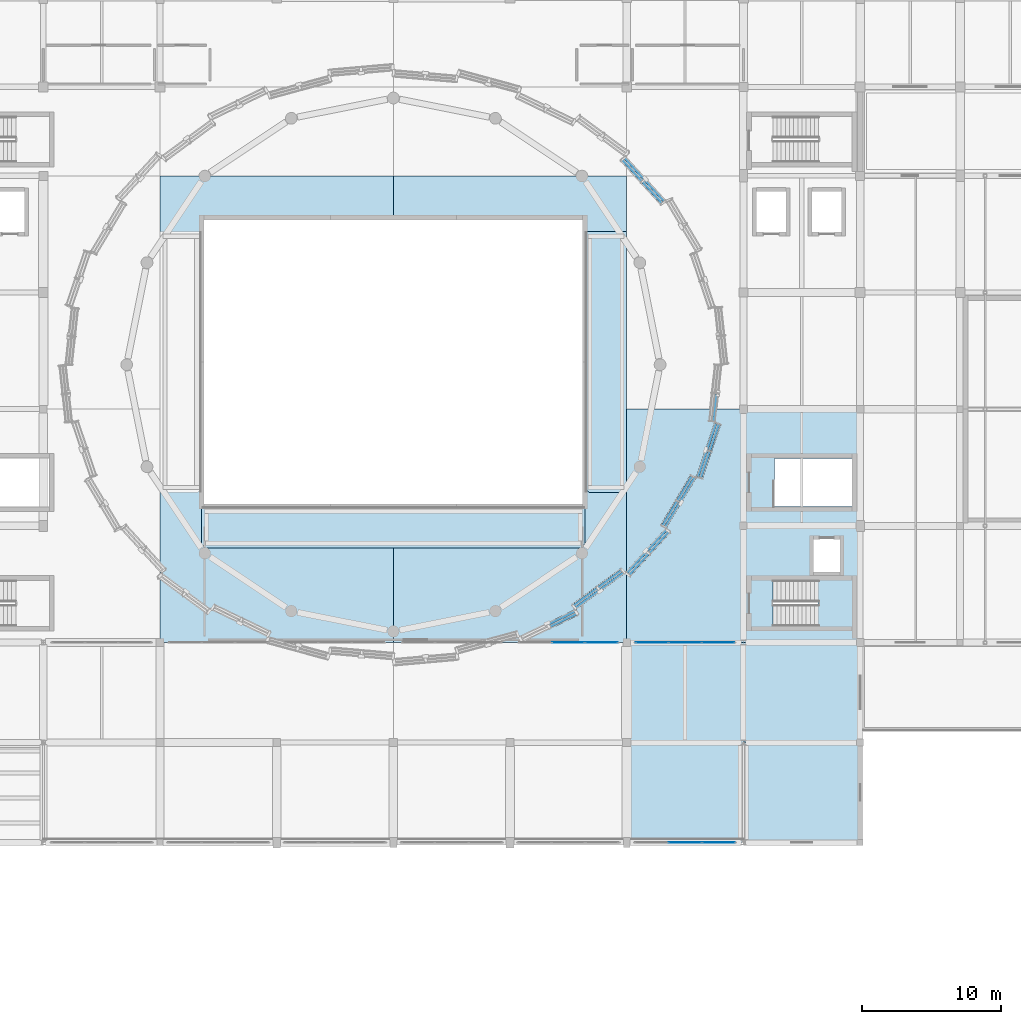
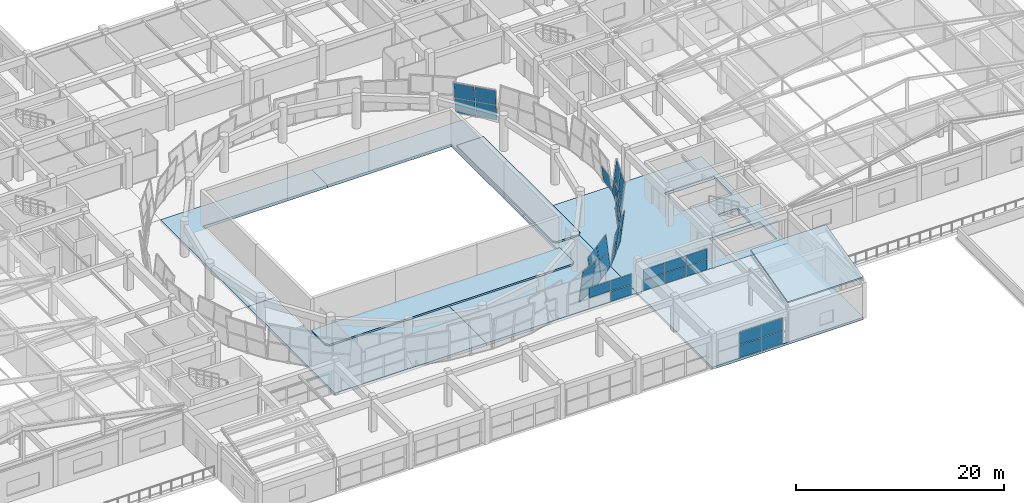
# One storey, part 50 of 74: 36 plates, 10 slabs, 11 elements without a shape of their own.
"""IFC4 building model written with IfcOpenShell, lengths in metres."""

from ifc_helpers import new_model, si_unit, direction, frame, origin, origin_2d, place, context, subcontext, project, spatial, polyline, rectangle, outline, extrude, material, layer, layer_set, type_object, element, aggregate, save


model = new_model("IFC4")

# Units and contexts
model_context = context("Model", 3, precision=1e-05, world=origin(), true_north=direction((0.0, 1.0)))
body_context = subcontext(model_context, "Body", "Model", "MODEL_VIEW")
ifc_project = project(units=[si_unit("LENGTHUNIT", "METRE"), si_unit("AREAUNIT", "SQUARE_METRE"), si_unit("VOLUMEUNIT", "CUBIC_METRE"), si_unit("PLANEANGLEUNIT", "RADIAN"), si_unit("MASSUNIT", "GRAM", prefix="KILO")], contexts=[model_context])

# Site, building, storey
site_placement = place(None, origin())
site = spatial("IfcSite", under=ifc_project, at=site_placement, CompositionType="ELEMENT")
building_placement = place(site_placement, origin())
building = spatial("IfcBuilding", under=site, at=building_placement, Name="Korsvaeld Concert Hall", CompositionType="ELEMENT")
storey_placement = place(building_placement, frame((0.0, 0.0, 9.0)))
storey = spatial("IfcBuildingStorey", under=building, at=storey_placement, Name="L02", CompositionType="ELEMENT", Elevation=9.0)

# Curtain wall, plates
ifc_material_1 = material(Name="Anodised bronze and ceramic-fritted safety glass", Category="glass")
curtain_wall_type_1 = type_object("IfcCurtainWallType", Name="CW-TYPE-13", PredefinedType="USERDEFINED", material=ifc_material_1)
curtain_wall_1_placement = place(storey_placement, origin())
curtain_wall_1 = element("IfcCurtainWall", 1, at=curtain_wall_1_placement, inside=storey, type_object=curtain_wall_type_1, Name="Wintergarden foyer curtain wall L02-13", ObjectType="CURTAIN WALL", PredefinedType="USERDEFINED")
ifc_material_2 = material(Name="Clear acoustic triple safety glazing", Category="glass")
ifc_layer_1 = layer(ifc_material_2, 0.0439453125)
ifc_layer_set_1 = layer_set([ifc_layer_1], Name="Clear acoustic triple safety glazing")
plate_type_1 = type_object("IfcPlateType", Name="CWP-CLEAR-44", PredefinedType="CURTAIN_PANEL", material=ifc_layer_set_1)
plate_1_placement = place(storey_placement, frame((107.418212890625, 28.800048828125, 0.06005859375), z_axis=(0.0, 0.0, 1.0), x_axis=(-1.0, 0.0, 0.0)))
plate_1 = element("IfcPlate", 2, at=plate_1_placement, type_object=plate_type_1, Name="CW-13 panel 1.1", PredefinedType="CURTAIN_PANEL", context=body_context, shape_type="SweptSolid", body=[
    extrude(rectangle(XDim=2.34326171875, YDim=0.0439453125, at=origin_2d()), origin(), (0.0, 0.0, 1.0), 1.5048828125),
])
plate_2_placement = place(storey_placement, frame((107.418212890625, 28.800048828125, 1.625), z_axis=(0.0, 0.0, 1.0), x_axis=(-1.0, 0.0, 0.0)))
plate_2 = element("IfcPlate", 3, at=plate_2_placement, type_object=plate_type_1, Name="CW-13 panel 1.2", PredefinedType="CURTAIN_PANEL", context=body_context, shape_type="SweptSolid", body=[
    extrude(rectangle(XDim=2.34326171875, YDim=0.0439453125, at=origin_2d()), origin(), (0.0, 0.0, 1.0), 1.5048828125),
])
plate_3_placement = place(storey_placement, frame((105.0, 28.800048828125, 0.06005859375), z_axis=(0.0, 0.0, 1.0), x_axis=(-1.0, 0.0, 0.0)))
plate_3 = element("IfcPlate", 4, at=plate_3_placement, type_object=plate_type_1, Name="CW-13 panel 2.1", PredefinedType="CURTAIN_PANEL", context=body_context, shape_type="SweptSolid", body=[
    extrude(rectangle(XDim=2.373291015625, YDim=0.0439453125, at=origin_2d()), origin(), (0.0, 0.0, 1.0), 1.5048828125),
])
plate_4_placement = place(storey_placement, frame((105.0, 28.800048828125, 1.625), z_axis=(0.0, 0.0, 1.0), x_axis=(-1.0, 0.0, 0.0)))
plate_4 = element("IfcPlate", 5, at=plate_4_placement, type_object=plate_type_1, Name="CW-13 panel 2.2", PredefinedType="CURTAIN_PANEL", context=body_context, shape_type="SweptSolid", body=[
    extrude(rectangle(XDim=2.373291015625, YDim=0.0439453125, at=origin_2d()), origin(), (0.0, 0.0, 1.0), 1.5048828125),
])
aggregate(curtain_wall_1, [plate_1, plate_2, plate_3, plate_4])

curtain_wall_type_2 = type_object("IfcCurtainWallType", Name="CW-TYPE-11", PredefinedType="USERDEFINED", material=ifc_material_1)
curtain_wall_2_placement = place(storey_placement, origin())
curtain_wall_2 = element("IfcCurtainWall", 6, at=curtain_wall_2_placement, inside=storey, type_object=curtain_wall_type_2, Name="Glazed foyer acoustic screen L02-35", ObjectType="CURTAIN WALL", PredefinedType="USERDEFINED")
plate_5_placement = place(storey_placement, frame((96.60009765625, 43.199951171875, 1.304931640625), z_axis=(0.0, 0.0, 1.0), x_axis=(1.0, 0.0, 0.0)))
plate_5 = element("IfcPlate", 7, at=plate_5_placement, type_object=plate_type_1, Name="CW-11 panel 2.2", PredefinedType="CURTAIN_PANEL", context=body_context, shape_type="SweptSolid", body=[
    extrude(rectangle(XDim=2.340087890625, YDim=0.0439453125, at=origin_2d()), origin(), (0.0, 0.0, 1.0), 1.18505859375),
])
plate_6_placement = place(storey_placement, frame((98.985107421875, 43.199951171875, 0.06005859375), z_axis=(0.0, 0.0, 1.0), x_axis=(1.0, 0.0, 0.0)))
plate_6 = element("IfcPlate", 8, at=plate_6_placement, type_object=plate_type_1, Name="CW-11 panel 3.1", PredefinedType="CURTAIN_PANEL", context=body_context, shape_type="SweptSolid", body=[
    extrude(rectangle(XDim=2.31005859375, YDim=0.0439453125, at=origin_2d()), origin(), (0.0, 0.0, 1.0), 1.18505859375),
])
plate_7_placement = place(storey_placement, frame((98.985107421875, 43.199951171875, 1.304931640625), z_axis=(0.0, 0.0, 1.0), x_axis=(1.0, 0.0, 0.0)))
plate_7 = element("IfcPlate", 9, at=plate_7_placement, type_object=plate_type_1, Name="CW-11 panel 3.2", PredefinedType="CURTAIN_PANEL", context=body_context, shape_type="SweptSolid", body=[
    extrude(rectangle(XDim=2.31005859375, YDim=0.0439453125, at=origin_2d()), origin(), (0.0, 0.0, 1.0), 1.18505859375),
])
aggregate(curtain_wall_2, [plate_5, plate_6, plate_7])

curtain_wall_type_3 = type_object("IfcCurtainWallType", Name="CW-TYPE-12", PredefinedType="USERDEFINED", material=ifc_material_1)
curtain_wall_3_placement = place(storey_placement, origin())
curtain_wall_3 = element("IfcCurtainWall", 10, at=curtain_wall_3_placement, inside=storey, type_object=curtain_wall_type_3, Name="Glazed foyer acoustic screen L02-36", ObjectType="CURTAIN WALL", PredefinedType="USERDEFINED")
plate_8_placement = place(storey_placement, frame((102.614990234375, 43.199951171875, 0.06005859375), z_axis=(0.0, 0.0, 1.0), x_axis=(1.0, 0.0, 0.0)))
plate_8 = element("IfcPlate", 11, at=plate_8_placement, type_object=plate_type_1, Name="CW-12 panel 1.1", PredefinedType="CURTAIN_PANEL", context=body_context, shape_type="SweptSolid", body=[
    extrude(rectangle(XDim=2.31005859375, YDim=0.0439453125, at=origin_2d()), origin(), (0.0, 0.0, 1.0), 1.18505859375),
])
plate_9_placement = place(storey_placement, frame((102.614990234375, 43.199951171875, 1.304931640625), z_axis=(0.0, 0.0, 1.0), x_axis=(1.0, 0.0, 0.0)))
plate_9 = element("IfcPlate", 12, at=plate_9_placement, type_object=plate_type_1, Name="CW-12 panel 1.2", PredefinedType="CURTAIN_PANEL", context=body_context, shape_type="SweptSolid", body=[
    extrude(rectangle(XDim=2.31005859375, YDim=0.0439453125, at=origin_2d()), origin(), (0.0, 0.0, 1.0), 1.18505859375),
])
plate_10_placement = place(storey_placement, frame((105.0, 43.199951171875, 0.06005859375), z_axis=(0.0, 0.0, 1.0), x_axis=(1.0, 0.0, 0.0)))
plate_10 = element("IfcPlate", 13, at=plate_10_placement, type_object=plate_type_1, Name="CW-12 panel 2.1", PredefinedType="CURTAIN_PANEL", context=body_context, shape_type="SweptSolid", body=[
    extrude(rectangle(XDim=2.340087890625, YDim=0.0439453125, at=origin_2d()), origin(), (0.0, 0.0, 1.0), 1.18505859375),
])
plate_11_placement = place(storey_placement, frame((105.0, 43.199951171875, 1.304931640625), z_axis=(0.0, 0.0, 1.0), x_axis=(1.0, 0.0, 0.0)))
plate_11 = element("IfcPlate", 14, at=plate_11_placement, type_object=plate_type_1, Name="CW-12 panel 2.2", PredefinedType="CURTAIN_PANEL", context=body_context, shape_type="SweptSolid", body=[
    extrude(rectangle(XDim=2.340087890625, YDim=0.0439453125, at=origin_2d()), origin(), (0.0, 0.0, 1.0), 1.18505859375),
])
plate_12_placement = place(storey_placement, frame((107.385009765625, 43.199951171875, 0.06005859375), z_axis=(0.0, 0.0, 1.0), x_axis=(1.0, 0.0, 0.0)))
plate_12 = element("IfcPlate", 15, at=plate_12_placement, type_object=plate_type_1, Name="CW-12 panel 3.1", PredefinedType="CURTAIN_PANEL", context=body_context, shape_type="SweptSolid", body=[
    extrude(rectangle(XDim=2.31005859375, YDim=0.0439453125, at=origin_2d()), origin(), (0.0, 0.0, 1.0), 1.18505859375),
])
plate_13_placement = place(storey_placement, frame((107.385009765625, 43.199951171875, 1.304931640625), z_axis=(0.0, 0.0, 1.0), x_axis=(1.0, 0.0, 0.0)))
plate_13 = element("IfcPlate", 16, at=plate_13_placement, type_object=plate_type_1, Name="CW-12 panel 3.2", PredefinedType="CURTAIN_PANEL", context=body_context, shape_type="SweptSolid", body=[
    extrude(rectangle(XDim=2.31005859375, YDim=0.0439453125, at=origin_2d()), origin(), (0.0, 0.0, 1.0), 1.18505859375),
])
aggregate(curtain_wall_3, [plate_8, plate_9, plate_10, plate_11, plate_12, plate_13])

curtain_wall_type_4 = type_object("IfcCurtainWallType", Name="CW-TYPE-04", PredefinedType="USERDEFINED", material=ifc_material_1)
curtain_wall_4_placement = place(storey_placement, origin())
curtain_wall_4 = element("IfcCurtainWall", 17, at=curtain_wall_4_placement, inside=storey, type_object=curtain_wall_type_4, Name="Crystal curtain-wall facet L02 F04", ObjectType="CURTAIN WALL", PredefinedType="USERDEFINED")
ifc_material_3 = material(Name="Translucent ceramic-fritted crystal safety glass", Category="glass")
ifc_layer_2 = layer(ifc_material_3, 0.035888671875)
ifc_layer_set_2 = layer_set([ifc_layer_2], Name="Translucent ceramic-fritted crystal safety glass")
plate_type_2 = type_object("IfcPlateType", Name="CWP-CRYSTAL-36", PredefinedType="CURTAIN_PANEL", material=ifc_layer_set_2)
plate_14_placement = place(storey_placement, frame((103.566650390625, 75.029296875, 0.06005859375), z_axis=(0.733607855035, 0.670176259909, 0.112620138901), x_axis=(-0.674466768396, 0.738305206747, -4.465212e-06)))
plate_14 = element("IfcPlate", 18, at=plate_14_placement, type_object=plate_type_2, Name="CW-CRYS-L02-F04 ceramic-fritted crystal panel 1.1", PredefinedType="CURTAIN_PANEL", context=body_context, shape_type="SweptSolid", body=[
    extrude(outline(polyline([(0.0, 0.0), (2.063350847157613, 1.3877787807814457e-17), (2.085316179204461, 1.8617067908425107), (0.022145582341464166, 1.8616882470765375), (0.0, 0.0)])), frame((0.0, 0.0, 0.01806640625)), (0.0, 0.0, -1.0), 0.035888671875),
])
plate_15_placement = place(storey_placement, frame((103.391357421875, 74.900390625, 1.969970703125), z_axis=(0.733578723806, 0.670203354014, 0.112648658439), x_axis=(-0.674496604142, 0.738277949692, 0.0)))
plate_15 = element("IfcPlate", 19, at=plate_15_placement, type_object=plate_type_2, Name="CW-CRYS-L02-F04 ceramic-fritted crystal panel 1.2", PredefinedType="CURTAIN_PANEL", context=body_context, shape_type="SweptSolid", body=[
    extrude(outline(polyline([(0.0, 0.0), (2.0631705985682665, 1.3877787807814457e-17), (2.085152666851206, 1.8619491815404832), (0.02198206828293976, 1.8619491815404832), (0.0, 0.0)])), frame((0.0, 0.0, 0.01806640625)), (0.0, 0.0, -1.0), 0.035888671875),
])
plate_16_placement = place(storey_placement, frame((102.12451171875, 76.60791015625, 0.06005859375), z_axis=(0.733582622808, 0.670211994762, 0.112571833028), x_axis=(-0.674499425249, 0.738275372296, 4.22007e-07)))
plate_16 = element("IfcPlate", 20, at=plate_16_placement, type_object=plate_type_2, Name="CW-CRYS-L02-F04 ceramic-fritted crystal panel 2.1", PredefinedType="CURTAIN_PANEL", context=body_context, shape_type="SweptSolid", body=[
    extrude(outline(polyline([(0.0, 0.0), (2.0635155142750765, 2.7755575615628914e-17), (2.085334491981297, 1.8616862783170858), (0.022163893428276616, 1.8616880309496175), (0.0, 0.0)])), frame((0.0, 0.0, 0.01806640625)), (0.0, 0.0, -1.0), 0.035888671875),
])
plate_17_placement = place(storey_placement, frame((101.94921875, 76.47900390625, 1.969970703125), z_axis=(0.733578723806, 0.670203354014, 0.112648658439), x_axis=(-0.674496604142, 0.738277949692, 0.0)))
plate_17 = element("IfcPlate", 21, at=plate_17_placement, type_object=plate_type_2, Name="CW-CRYS-L02-F04 ceramic-fritted crystal panel 2.2", PredefinedType="CURTAIN_PANEL", context=body_context, shape_type="SweptSolid", body=[
    extrude(outline(polyline([(0.0, 0.0), (2.0631705985682665, 1.3877787807814457e-17), (2.085152666851206, 1.8619491815404832), (0.02198206828293976, 1.8619491815404832), (0.0, 0.0)])), frame((0.0, 0.0, 0.01806640625)), (0.0, 0.0, -1.0), 0.035888671875),
])
aggregate(curtain_wall_4, [plate_14, plate_15, plate_16, plate_17])

curtain_wall_type_5 = type_object("IfcCurtainWallType", Name="CW-TYPE-03", PredefinedType="USERDEFINED", material=ifc_material_1)
curtain_wall_5_placement = place(storey_placement, origin())
curtain_wall_5 = element("IfcCurtainWall", 22, at=curtain_wall_5_placement, inside=storey, type_object=curtain_wall_type_5, Name="Crystal curtain-wall facet L02 F27", ObjectType="CURTAIN WALL", PredefinedType="USERDEFINED")
plate_18_placement = place(storey_placement, frame((95.108642578125, 44.603759765625, 0.06005859375), z_axis=(0.429998436231, -0.895754874635, -0.112803144489), x_axis=(0.901508884705, 0.432760592935, 0.0)))
plate_18 = element("IfcPlate", 23, at=plate_18_placement, type_object=plate_type_2, Name="CW-CRYS-L02-F27 ceramic-fritted crystal panel 2.1", PredefinedType="CURTAIN_PANEL", context=body_context, shape_type="SweptSolid", body=[
    extrude(outline(polyline([(0.0, 0.0), (2.1505286703400395, 0.0), (2.169415039256542, 1.8617363153269957), (0.01888636891650229, 1.8617363153269957), (0.0, 0.0)])), frame((0.0, 0.0, 0.01806640625)), (0.0, 0.0, -1.0), 0.035888671875),
])
plate_19_placement = place(storey_placement, frame((95.219970703125, 44.416748046875, 1.969970703125), z_axis=(0.430022527134, -0.89574865601, -0.112760682039), x_axis=(0.901498388408, 0.432782457697, 2.752414e-06)))
plate_19 = element("IfcPlate", 24, at=plate_19_placement, type_object=plate_type_2, Name="CW-CRYS-L02-F27 ceramic-fritted crystal panel 2.2", PredefinedType="CURTAIN_PANEL", context=body_context, shape_type="SweptSolid", body=[
    extrude(outline(polyline([(0.0, 0.0), (2.15052866969938, 0.0), (2.169194944960207, 1.8619669834991164), (0.018886367640809625, 1.8619788971660192), (0.0, 0.0)])), frame((0.0, 0.0, 0.01806640625)), (0.0, 0.0, -1.0), 0.035888671875),
])
aggregate(curtain_wall_5, [plate_18, plate_19])

curtain_wall_6_placement = place(storey_placement, origin())
curtain_wall_6 = element("IfcCurtainWall", 25, at=curtain_wall_6_placement, inside=storey, type_object=curtain_wall_type_4, Name="Crystal curtain-wall facet L02 F28", ObjectType="CURTAIN WALL", PredefinedType="USERDEFINED")
plate_20_placement = place(storey_placement, frame((97.167236328125, 45.622314453125, 0.06005859375), z_axis=(0.58962828208, -0.799782568338, 0.112633620004), x_axis=(0.804904507896, 0.593404358906, 0.0)))
plate_20 = element("IfcPlate", 26, at=plate_20_placement, type_object=plate_type_2, Name="CW-CRYS-L02-F28 ceramic-fritted crystal panel 1.1", PredefinedType="CURTAIN_PANEL", context=body_context, shape_type="SweptSolid", body=[
    extrude(outline(polyline([(0.0, 0.0), (2.1089579558479716, -1.3877787807814457e-17), (2.087018882944334, 1.8617002828262006), (-0.0219390729036376, 1.8617002828262006), (0.0, 0.0)])), frame((0.0, 0.0, 0.01806640625)), (0.0, 0.0, -1.0), 0.035888671875),
])
plate_21_placement = place(storey_placement, frame((97.0205078125, 45.782958984375, 1.969970703125), z_axis=(0.589629269114, -0.799783907169, 0.112618945289), x_axis=(0.804904507896, 0.593404358906, 0.0)))
plate_21 = element("IfcPlate", 27, at=plate_21_placement, type_object=plate_type_2, Name="CW-CRYS-L02-F28 ceramic-fritted crystal panel 1.2", PredefinedType="CURTAIN_PANEL", context=body_context, shape_type="SweptSolid", body=[
    extrude(outline(polyline([(0.0, 0.0), (2.1089579558479716, -1.3877787807814457e-17), (2.087018882944334, 1.8619428700867071), (-0.0219390729036376, 1.8619428700867073), (0.0, 0.0)])), frame((0.0, 0.0, 0.01806640625)), (0.0, 0.0, -1.0), 0.035888671875),
])
plate_22_placement = place(storey_placement, frame((98.925048828125, 46.91845703125, 0.06005859375), z_axis=(0.589605264342, -0.799808857901, 0.112567415727), x_axis=(0.804925146534, 0.593376363248, -3.841278e-06)))
plate_22 = element("IfcPlate", 28, at=plate_22_placement, type_object=plate_type_2, Name="CW-CRYS-L02-F28 ceramic-fritted crystal panel 2.1", PredefinedType="CURTAIN_PANEL", context=body_context, shape_type="SweptSolid", body=[
    extrude(outline(polyline([(0.0, 0.0), (2.1091544694851514, 0.0), (2.0868596153830126, 1.8616942938582879), (-0.022098339173785665, 1.861677987273455), (0.0, 0.0)])), frame((0.0, 0.0, 0.01806640625)), (0.0, 0.0, -1.0), 0.035888671875),
])
plate_23_placement = place(storey_placement, frame((98.7783203125, 47.0791015625, 1.969970703125), z_axis=(0.589636274188, -0.79979340898, 0.112514741765), x_axis=(0.804904507896, 0.593404358906, 0.0)))
plate_23 = element("IfcPlate", 29, at=plate_23_placement, type_object=plate_type_2, Name="CW-CRYS-L02-F28 ceramic-fritted crystal panel 2.2", PredefinedType="CURTAIN_PANEL", context=body_context, shape_type="SweptSolid", body=[
    extrude(outline(polyline([(0.0, 0.0), (2.1089579558479716, -1.3877787807814457e-17), (2.0868740088332727, 1.86192074958865), (-0.022083947014698666, 1.86192074958865), (0.0, 0.0)])), frame((0.0, 0.0, 0.01806640625)), (0.0, 0.0, -1.0), 0.035888671875),
])
aggregate(curtain_wall_6, [plate_20, plate_21, plate_22, plate_23])

curtain_wall_type_6 = type_object("IfcCurtainWallType", Name="CW-TYPE-05", PredefinedType="USERDEFINED", material=ifc_material_1)
curtain_wall_7_placement = place(storey_placement, origin())
curtain_wall_7 = element("IfcCurtainWall", 30, at=curtain_wall_7_placement, inside=storey, type_object=curtain_wall_type_6, Name="Crystal curtain-wall facet L02 F29", ObjectType="CURTAIN WALL", PredefinedType="USERDEFINED")
plate_24_placement = place(storey_placement, frame((100.743896484375, 48.260498046875, 0.06005859375), z_axis=(0.733582622808, -0.670211994762, -0.112571833028), x_axis=(0.674498607956, 0.738276118927, -9.34911e-06)))
plate_24 = element("IfcPlate", 31, at=plate_24_placement, type_object=plate_type_2, Name="CW-CRYS-L02-F29 ceramic-fritted crystal panel 1.1", PredefinedType="CURTAIN_PANEL", context=body_context, shape_type="SweptSolid", body=[
    extrude(outline(polyline([(0.0, 0.0), (2.0633508416635977, 0.0), (2.0853161847569632, 1.8617067846230986), (0.02198091377475512, 1.8616679569746117), (0.0, 0.0)])), frame((0.0, 0.0, 0.01806640625)), (0.0, 0.0, -1.0), 0.035888671875),
])
plate_25_placement = place(storey_placement, frame((100.9189453125, 48.131591796875, 1.969970703125), z_axis=(0.733578723806, -0.670203354014, -0.112648658439), x_axis=(0.674496604142, 0.738277949692, 0.0)))
plate_25 = element("IfcPlate", 32, at=plate_25_placement, type_object=plate_type_2, Name="CW-CRYS-L02-F29 ceramic-fritted crystal panel 1.2", PredefinedType="CURTAIN_PANEL", context=body_context, shape_type="SweptSolid", body=[
    extrude(outline(polyline([(0.0, 0.0), (2.0631705985682665, 1.3877787807814457e-17), (2.085152666851206, 1.8619491815404832), (0.02198206828293976, 1.8619491815404832), (0.0, 0.0)])), frame((0.0, 0.0, 0.01806640625)), (0.0, 0.0, -1.0), 0.035888671875),
])
plate_26_placement = place(storey_placement, frame((102.18603515625, 49.839111328125, 0.06005859375), z_axis=(0.733607855035, -0.670176259909, -0.112620138901), x_axis=(0.674466768396, 0.738305206747, -4.465212e-06)))
plate_26 = element("IfcPlate", 33, at=plate_26_placement, type_object=plate_type_2, Name="CW-CRYS-L02-F29 ceramic-fritted crystal panel 2.1", PredefinedType="CURTAIN_PANEL", context=body_context, shape_type="SweptSolid", body=[
    extrude(outline(polyline([(0.0, 0.0), (2.063350847157613, 1.3877787807814457e-17), (2.085316179204461, 1.8617067908425107), (0.022145582341464166, 1.8616882470765375), (0.0, 0.0)])), frame((0.0, 0.0, 0.01806640625)), (0.0, 0.0, -1.0), 0.035888671875),
])
plate_27_placement = place(storey_placement, frame((102.361083984375, 49.710205078125, 1.969970703125), z_axis=(0.733578723806, -0.670203354014, -0.112648658439), x_axis=(0.674496604142, 0.738277949692, 0.0)))
plate_27 = element("IfcPlate", 34, at=plate_27_placement, type_object=plate_type_2, Name="CW-CRYS-L02-F29 ceramic-fritted crystal panel 2.2", PredefinedType="CURTAIN_PANEL", context=body_context, shape_type="SweptSolid", body=[
    extrude(outline(polyline([(0.0, 0.0), (2.0631705985682665, 1.3877787807814457e-17), (2.085152666851206, 1.8619491815404832), (0.02198206828293976, 1.8619491815404832), (0.0, 0.0)])), frame((0.0, 0.0, 0.01806640625)), (0.0, 0.0, -1.0), 0.035888671875),
])
aggregate(curtain_wall_7, [plate_24, plate_25, plate_26, plate_27])

curtain_wall_type_7 = type_object("IfcCurtainWallType", Name="CW-TYPE-06", PredefinedType="USERDEFINED", material=ifc_material_1)
curtain_wall_8_placement = place(storey_placement, origin())
curtain_wall_8 = element("IfcCurtainWall", 35, at=curtain_wall_8_placement, inside=storey, type_object=curtain_wall_type_7, Name="Crystal curtain-wall facet L02 F30", ObjectType="CURTAIN WALL", PredefinedType="USERDEFINED")
plate_28_placement = place(storey_placement, frame((103.65478515625, 51.4892578125, 0.06005859375), z_axis=(0.853892161526, -0.508096158557, 0.112722979661), x_axis=(0.511354967766, 0.859369592742, 3.460872e-06)))
plate_28 = element("IfcPlate", 36, at=plate_28_placement, type_object=plate_type_2, Name="CW-CRYS-L02-F30 ceramic-fritted crystal panel 1.1", PredefinedType="CURTAIN_PANEL", context=body_context, shape_type="SweptSolid", body=[
    extrude(outline(polyline([(0.0, 0.0), (2.0201464947764305, 2.7755575615628914e-17), (2.0012834372079804, 1.8617122986416608), (-0.01865325053897172, 1.861726370541177), (0.0, 0.0)])), frame((0.0, 0.0, 0.01806640625)), (0.0, 0.0, -1.0), 0.035888671875),
])
plate_29_placement = place(storey_placement, frame((103.458740234375, 51.58349609375, 1.969970703125), z_axis=(0.853895606904, -0.508073891, 0.112797224229), x_axis=(0.511337798574, 0.859379808767, -5.820704e-06)))
plate_29 = element("IfcPlate", 37, at=plate_29_placement, type_object=plate_type_2, Name="CW-CRYS-L02-F30 ceramic-fritted crystal panel 1.2", PredefinedType="CURTAIN_PANEL", context=body_context, shape_type="SweptSolid", body=[
    extrude(outline(polyline([(0.0, 0.0), (2.019936686058763, 0.0), (2.001145620164597, 1.861992487678737), (-0.01866622756443597, 1.8619688224688642), (0.0, 0.0)])), frame((0.0, 0.0, 0.01806640625)), (0.0, 0.0, -1.0), 0.035888671875),
])
plate_30_placement = place(storey_placement, frame((104.72607421875, 53.289794921875, 0.06005859375), z_axis=(0.853892161526, -0.508096158557, 0.112722979661), x_axis=(0.511355642616, 0.859369191182, -3.461232e-06)))
plate_30 = element("IfcPlate", 38, at=plate_30_placement, type_object=plate_type_2, Name="CW-CRYS-L02-F30 ceramic-fritted crystal panel 2.1", PredefinedType="CURTAIN_PANEL", context=body_context, shape_type="SweptSolid", body=[
    extrude(outline(polyline([(0.0, 0.0), (2.019936687795968, -1.3877787807814457e-17), (2.0012704675309365, 1.8617262405480326), (-0.018876027196472505, 1.8617121671868948), (0.0, 0.0)])), frame((0.0, 0.0, 0.01806640625)), (0.0, 0.0, -1.0), 0.035888671875),
])
plate_31_placement = place(storey_placement, frame((104.530029296875, 53.3837890625, 1.969970703125), z_axis=(0.853914504774, -0.508049407558, 0.112764435958), x_axis=(0.511310904745, 0.859395810254, -2.35671e-06)))
plate_31 = element("IfcPlate", 39, at=plate_31_placement, type_object=plate_type_2, Name="CW-CRYS-L02-F30 ceramic-fritted crystal panel 2.2", PredefinedType="CURTAIN_PANEL", context=body_context, shape_type="SweptSolid", body=[
    extrude(outline(polyline([(0.0, 0.0), (2.0201464952873813, 2.7755575615628914e-17), (2.0011586005809385, 1.861978537093525), (-0.018653249512351377, 1.8619689549674794), (0.0, 0.0)])), frame((0.0, 0.0, 0.01806640625)), (0.0, 0.0, -1.0), 0.035888671875),
])
aggregate(curtain_wall_8, [plate_28, plate_29, plate_30, plate_31])

curtain_wall_type_8 = type_object("IfcCurtainWallType", Name="CW-TYPE-07", PredefinedType="USERDEFINED", material=ifc_material_1)
curtain_wall_9_placement = place(storey_placement, origin())
curtain_wall_9 = element("IfcCurtainWall", 40, at=curtain_wall_9_placement, inside=storey, type_object=curtain_wall_type_8, Name="Crystal curtain-wall facet L02 F31", ObjectType="CURTAIN WALL", PredefinedType="USERDEFINED")
plate_32_placement = place(storey_placement, frame((105.834228515625, 55.15625, 0.06005859375), z_axis=(0.941376989416, -0.317862797179, -0.113015954486), x_axis=(0.319912420616, 0.947447118912, 0.0)))
plate_32 = element("IfcPlate", 41, at=plate_32_placement, type_object=plate_type_2, Name="CW-CRYS-L02-F31 ceramic-fritted crystal panel 1.1", PredefinedType="CURTAIN_PANEL", context=body_context, shape_type="SweptSolid", body=[
    extrude(outline(polyline([(0.0, 0.0), (1.9864750660546802, -1.3877787807814457e-17), (1.999027934799808, 1.8617816278649926), (0.01255286874512773, 1.8617816278649928), (0.0, 0.0)])), frame((0.0, 0.0, 0.01806640625)), (0.0, 0.0, -1.0), 0.035888671875),
])
plate_33_placement = place(storey_placement, frame((106.044189453125, 55.09912109375, 1.969970703125), z_axis=(0.941366104364, -0.317900359323, -0.113000969451), x_axis=(0.319949676143, 0.947434538497, 0.0)))
plate_33 = element("IfcPlate", 42, at=plate_33_placement, type_object=plate_type_2, Name="CW-CRYS-L02-F31 ceramic-fritted crystal panel 1.2", PredefinedType="CURTAIN_PANEL", context=body_context, shape_type="SweptSolid", body=[
    extrude(outline(polyline([(0.0, 0.0), (1.9862437572585203, 0.0), (1.9988048998337165, 1.8620241487311948), (0.012561142575196048, 1.8620241487311948), (0.0, 0.0)])), frame((0.0, 0.0, 0.01806640625)), (0.0, 0.0, -1.0), 0.035888671875),
])
plate_34_placement = place(storey_placement, frame((106.49365234375, 57.109375, 0.06005859375), z_axis=(0.941364517816, -0.317899823544, -0.11301569266), x_axis=(0.319949676143, 0.947434538497, 0.0)))
plate_34 = element("IfcPlate", 43, at=plate_34_placement, type_object=plate_type_2, Name="CW-CRYS-L02-F31 ceramic-fritted crystal panel 2.1", PredefinedType="CURTAIN_PANEL", context=body_context, shape_type="SweptSolid", body=[
    extrude(outline(polyline([(0.0, 0.0), (1.9862437572585203, -1.3877787807814457e-17), (1.9988048998337165, 1.8617815720611695), (0.012561142575196048, 1.8617815720611695), (0.0, 0.0)])), frame((0.0, 0.0, 0.01806640625)), (0.0, 0.0, -1.0), 0.035888671875),
])
plate_35_placement = place(storey_placement, frame((106.70361328125, 57.052001953125, 1.969970703125), z_axis=(0.941378575992, -0.317863332898, -0.113001231244), x_axis=(0.319912420616, 0.947447118912, 0.0)))
plate_35 = element("IfcPlate", 44, at=plate_35_placement, type_object=plate_type_2, Name="CW-CRYS-L02-F31 ceramic-fritted crystal panel 2.2", PredefinedType="CURTAIN_PANEL", context=body_context, shape_type="SweptSolid", body=[
    extrude(outline(polyline([(0.0, 0.0), (1.9864750660546802, -1.3877787807814457e-17), (1.9990279347998081, 1.862024204527748), (0.012552868745127732, 1.862024204527748), (0.0, 0.0)])), frame((0.0, 0.0, 0.01806640625)), (0.0, 0.0, -1.0), 0.035888671875),
])
aggregate(curtain_wall_9, [plate_32, plate_33, plate_34, plate_35])

# Curtain wall, plate
curtain_wall_type_9 = type_object("IfcCurtainWallType", Name="CW-TYPE-08", PredefinedType="USERDEFINED", material=ifc_material_1)
curtain_wall_10_placement = place(storey_placement, origin())
curtain_wall_10 = element("IfcCurtainWall", 45, at=curtain_wall_10_placement, inside=storey, type_object=curtain_wall_type_9, Name="Crystal curtain-wall facet L02 F32", ObjectType="CURTAIN WALL", PredefinedType="USERDEFINED")
plate_36_placement = place(storey_placement, frame((107.14794921875, 59.13916015625, 0.06005859375), z_axis=(0.987662500457, -0.10822010176, 0.113186548519), x_axis=(0.108920048755, 0.994050513294, 0.0)))
plate_36 = element("IfcPlate", 46, at=plate_36_placement, type_object=plate_type_2, Name="CW-CRYS-L02-F32 ceramic-fritted crystal panel 1.1", PredefinedType="CURTAIN_PANEL", context=body_context, shape_type="SweptSolid", body=[
    extrude(outline(polyline([(0.0, 0.0), (1.9680074623604151, -3.469446951953614e-18), (1.9635828034447003, 1.8618180156416344), (-0.004424658915714849, 1.8618180156416344), (0.0, 0.0)])), frame((0.0, 0.0, 0.01806640625)), (0.0, 0.0, -1.0), 0.035888671875),
])
aggregate(curtain_wall_10, [plate_36])

# Slabs
ifc_material_4 = material(Name="Concrete C35/45", Category="concrete")
ifc_layer_3 = layer(ifc_material_4, 0.280029296875)
ifc_layer_set_3 = layer_set([ifc_layer_3], Name="Concrete C35/45")
slab_type_1 = type_object("IfcSlabType", Name="SLB-FOY-280", PredefinedType="FLOOR", material=ifc_layer_set_3)
slab_1_placement = place(storey_placement, frame((0.0, 0.0, -0.280029296875)))
element("IfcSlab", 47, at=slab_1_placement, inside=storey, type_object=slab_type_1, Name="Structural slab L02 V4_BELV_L02 4.1", PredefinedType="FLOOR", context=body_context, shape_type="SweptSolid", body=[
    extrude(outline(polyline([(100.800048828125, 28.800048828125), (100.800048828125, 43.199951171875), (117.60009765625, 43.199951171875), (117.60009765625, 28.800048828125), (100.800048828125, 28.800048828125)])), origin(), (0.0, 0.0, 1.0), 0.280029296875),
])
ifc_layer_4 = layer(ifc_material_4, 0.320068359375)
ifc_layer_set_4 = layer_set([ifc_layer_4], Name="Concrete C35/45")
slab_type_2 = type_object("IfcSlabType", Name="SLB-HALL-320", PredefinedType="FLOOR", material=ifc_layer_set_4)
slab_2_placement = place(storey_placement, frame((0.0, 0.0, -0.320068359375)))
element("IfcSlab", 48, at=slab_2_placement, inside=storey, type_object=slab_type_2, Name="Structural slab L02 V1_L02 2.1", PredefinedType="FLOOR", context=body_context, shape_type="SweptSolid", body=[
    extrude(outline(polyline([(84.0, 43.199951171875), (67.199951171875, 43.199951171875), (67.199951171875, 60.0), (70.199951171875, 60.0), (70.199951171875, 53.0), (84.0, 53.0), (84.0, 43.199951171875)])), origin(), (0.0, 0.0, 1.0), 0.320068359375),
])
slab_3_placement = place(storey_placement, frame((0.0, 0.0, -0.320068359375)))
element("IfcSlab", 49, at=slab_3_placement, inside=storey, type_object=slab_type_2, Name="Structural slab L02 V1_L02 2.2", PredefinedType="FLOOR", context=body_context, shape_type="SweptSolid", body=[
    extrude(outline(polyline([(67.199951171875, 60.0), (67.199951171875, 76.800048828125), (84.0, 76.800048828125), (84.0, 73.800048828125), (70.199951171875, 73.800048828125), (70.199951171875, 60.0), (67.199951171875, 60.0)])), origin(), (0.0, 0.0, 1.0), 0.320068359375),
])
slab_4_placement = place(storey_placement, frame((0.0, 0.0, -0.320068359375)))
element("IfcSlab", 50, at=slab_4_placement, inside=storey, type_object=slab_type_2, Name="Structural slab L02 V1_L02 3.1", PredefinedType="FLOOR", context=body_context, shape_type="SweptSolid", body=[
    extrude(outline(polyline([(100.800048828125, 60.0), (100.800048828125, 43.199951171875), (84.0, 43.199951171875), (84.0, 53.0), (97.800048828125, 53.0), (97.800048828125, 60.0), (100.800048828125, 60.0)])), origin(), (0.0, 0.0, 1.0), 0.320068359375),
])
slab_5_placement = place(storey_placement, frame((0.0, 0.0, -0.320068359375)))
element("IfcSlab", 51, at=slab_5_placement, inside=storey, type_object=slab_type_2, Name="Structural slab L02 V1_L02 3.2", PredefinedType="FLOOR", context=body_context, shape_type="SweptSolid", body=[
    extrude(outline(polyline([(84.0, 76.800048828125), (100.800048828125, 76.800048828125), (100.800048828125, 60.0), (97.800048828125, 60.0), (97.800048828125, 73.800048828125), (84.0, 73.800048828125), (84.0, 76.800048828125)])), origin(), (0.0, 0.0, 1.0), 0.320068359375),
])
slab_6_placement = place(storey_placement, frame((0.0, 0.0, -0.320068359375)))
element("IfcSlab", 52, at=slab_6_placement, inside=storey, type_object=slab_type_2, Name="Structural slab L02 V1_L02 4.1", PredefinedType="FLOOR", context=body_context, shape_type="SweptSolid", body=[
    extrude(outline(polyline([(100.800048828125, 43.199951171875), (100.800048828125, 60.0), (117.60009765625, 60.0), (117.60009765625, 43.199951171875), (100.800048828125, 43.199951171875)]), holes=[polyline([(117.0048828125, 44.39501953125), (117.0048828125, 47.64501953125), (111.344970703125, 47.64501953125), (111.344970703125, 44.39501953125), (117.0048828125, 44.39501953125)]), polyline([(116.300048828125, 50.75), (114.10009765625, 50.75), (114.10009765625, 48.14990234375), (116.300048828125, 48.14990234375), (116.300048828125, 50.75)]), polyline([(111.445068359375, 52.9951171875), (117.0048828125, 52.9951171875), (117.0048828125, 56.445068359375), (111.445068359375, 56.445068359375), (111.445068359375, 52.9951171875)])]), origin(), (0.0, 0.0, 1.0), 0.320068359375),
])

# Stair, slab
ifc_material_5 = material(Name="Precast concrete C40/50", Category="concrete")
stair_type = type_object("IfcStairType", Name="STR-HT-155-42", PredefinedType="HALF_TURN_STAIR", material=ifc_material_5)
stair_placement = place(storey_placement, origin())
stair = element("IfcStair", 53, at=stair_placement, inside=storey, type_object=stair_type, Name="L02 ST-K4", PredefinedType="HALF_TURN_STAIR")
ifc_layer_5 = layer(ifc_material_5, 0.179931640625)
ifc_layer_set_5 = layer_set([ifc_layer_5], Name="Precast concrete C40/50")
slab_type_3 = type_object("IfcSlabType", Name="SLB-LANDING-180", PredefinedType="LANDING", material=ifc_layer_set_5)
slab_7_placement = place(storey_placement, frame((0.0, 0.0, 1.919921875)))
slab_7 = element("IfcSlab", 54, at=slab_7_placement, type_object=slab_type_3, Name="ST-K4 landing 1", PredefinedType="LANDING", context=body_context, shape_type="SweptSolid", body=[
    extrude(outline(polyline([(114.56005859375, 44.31005859375), (114.56005859375, 47.72998046875), (117.090087890625, 47.72998046875), (117.090087890625, 44.31005859375), (114.56005859375, 44.31005859375)])), origin(), (0.0, 0.0, 1.0), 0.18017578125),
])
aggregate(stair, [slab_7])

# Slabs
ifc_layer_6 = layer(ifc_material_4, 0.219970703125)
ifc_layer_set_6 = layer_set([ifc_layer_6], Name="Concrete C35/45")
slab_type_4 = type_object("IfcSlabType", Name="SLB-ROOF-220", PredefinedType="ROOF", material=ifc_layer_set_6)
slab_8_placement = place(storey_placement, frame((109.199951171875, 28.800048828125, 4.75), z_axis=(0.0, -0.242543365301, 0.970140565046), x_axis=(1.0, 0.0, 0.0)))
element("IfcSlab", 55, at=slab_8_placement, inside=storey, type_object=slab_type_4, Name="Wintergarden skylight sloped roof East", PredefinedType="ROOF", context=body_context, shape_type="SweptSolid", body=[
    extrude(outline(polyline([(0.0, 0.0), (8.400146484375, 0.0), (8.400146484375, 7.421554598668555), (0.0, 7.421554598668555), (0.0, 0.0)])), origin(), (0.0, 0.0, -1.0), 0.219970703125),
])
ifc_layer_7 = layer(ifc_material_5, 0.199951171875)
ifc_layer_set_7 = layer_set([ifc_layer_7], Name="Precast concrete C40/50")
slab_type_5 = type_object("IfcSlabType", Name="SLB-TIER-200", PredefinedType="USERDEFINED", material=ifc_layer_set_7)
slab_9_placement = place(storey_placement, frame((0.0, 0.0, 0.25)))
element("IfcSlab", 56, at=slab_9_placement, inside=storey, type_object=slab_type_5, Name="Auditorium seating tier V1-CIRC2-E", ObjectType="SEATING TIER", PredefinedType="USERDEFINED", context=body_context, shape_type="SweptSolid", body=[
    extrude(outline(polyline([(97.800048828125, 54.300048828125), (98.10009765625, 54.0), (100.5, 54.0), (100.800048828125, 54.300048828125), (100.800048828125, 72.800048828125), (97.800048828125, 72.800048828125), (97.800048828125, 54.300048828125)])), origin(), (0.0, 0.0, 1.0), 0.199951171875),
])
slab_10_placement = place(storey_placement, frame((0.0, 0.0, 0.25)))
element("IfcSlab", 57, at=slab_10_placement, inside=storey, type_object=slab_type_5, Name="Auditorium seating tier V1-CIRC2-S", ObjectType="SEATING TIER", PredefinedType="USERDEFINED", context=body_context, shape_type="SweptSolid", body=[
    extrude(outline(polyline([(70.199951171875, 50.300048828125), (70.5, 50.0), (97.5, 50.0), (97.800048828125, 50.300048828125), (97.800048828125, 53.0), (70.199951171875, 53.0), (70.199951171875, 50.300048828125)])), origin(), (0.0, 0.0, 1.0), 0.199951171875),
])

save(model, "model.ifc")
